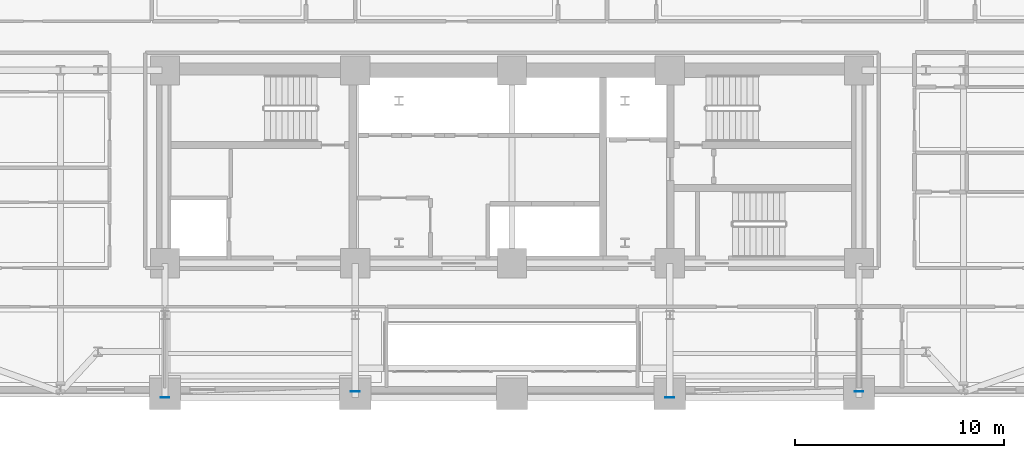
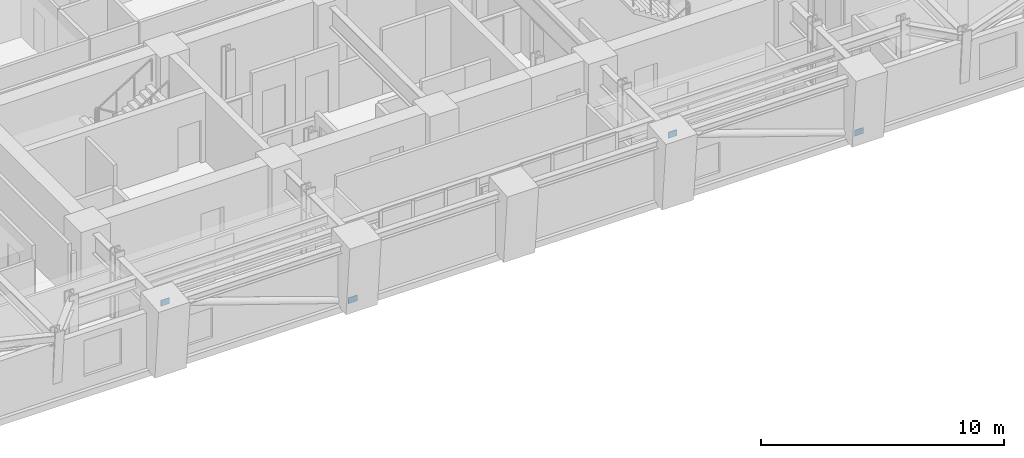
# One storey, part 7 of 15: 4 plates.
"""IFC4 building model written with IfcOpenShell, lengths in metres."""

from ifc_helpers import new_model, si_unit, direction, frame, origin, origin_2d, place, context, subcontext, project, spatial, rectangle, extrude, material, layer, layer_set, type_object, element, save


model = new_model("IFC4")

# Units and contexts
model_context = context("Model", 3, precision=1e-05, world=origin(), true_north=direction((0.0, 1.0)))
body_context = subcontext(model_context, "Body", "Model", "MODEL_VIEW")
ifc_project = project(units=[si_unit("LENGTHUNIT", "METRE"), si_unit("AREAUNIT", "SQUARE_METRE"), si_unit("VOLUMEUNIT", "CUBIC_METRE"), si_unit("PLANEANGLEUNIT", "RADIAN"), si_unit("MASSUNIT", "GRAM", prefix="KILO")], contexts=[model_context])

# Site, building, storey
site_placement = place(None, origin())
site = spatial("IfcSite", under=ifc_project, at=site_placement, CompositionType="ELEMENT")
building_placement = place(site_placement, origin())
building = spatial("IfcBuilding", under=site, at=building_placement, Name="Zarnavel Station Tower", CompositionType="ELEMENT")
storey_placement = place(building_placement, frame((0.0, 0.0, 50.0)))
storey = spatial("IfcBuildingStorey", under=building, at=storey_placement, Name="L13", CompositionType="ELEMENT", Elevation=50.0)

# Plates
ifc_material = material(Name="Steel S460M", Category="steel")
ifc_layer = layer(ifc_material, 0.02490234375)
ifc_layer_set = layer_set([ifc_layer], Name="GP_GUSSET_25")
plate_type = type_object("IfcPlateType", Name="GP_GUSSET_25", PredefinedType="USERDEFINED", material=ifc_layer_set)
for number, where, z_axis, x_axis, name in (
    (1, (21.300048828125, 21.697021484375, -0.14990234375), (0.0, 0.0, 1.0), (1.0, 0.0, 0.0), "L13 Exterior Diagonal Brace End Gusset 1-1"),
    (2, (12.199951171875, 21.4033203125, 3.08984375), (0.0, 0.0, 1.0), (1.0, 0.0, 0.0), "L13 Exterior Diagonal Brace End Gusset 1-2"),
    (3, (45.39990234375, 21.697021484375, -0.14990234375), (0.0, 0.0, 1.0), (1.0, 0.0, 0.0), "L13 Exterior Diagonal Brace End Gusset 2-1"),
    (4, (36.35009765625, 21.4033203125, 3.08984375), (0.0, 0.0, 1.0), (1.0, 0.0, 0.0), "L13 Exterior Diagonal Brace End Gusset 2-2"),
):
    element("IfcPlate", number, at=place(storey_placement, frame(where, z_axis=z_axis, x_axis=x_axis)), inside=storey, type_object=plate_type, Name=name, ObjectType="GUSSET_PLATE", PredefinedType="USERDEFINED", context=body_context, shape_type="SweptSolid", body=[
        extrude(rectangle(XDim=0.419921875, YDim=0.02490234375, at=origin_2d()), origin(), (0.0, 0.0, 1.0), 0.300048828125),
    ])

save(model, "model.ifc")
